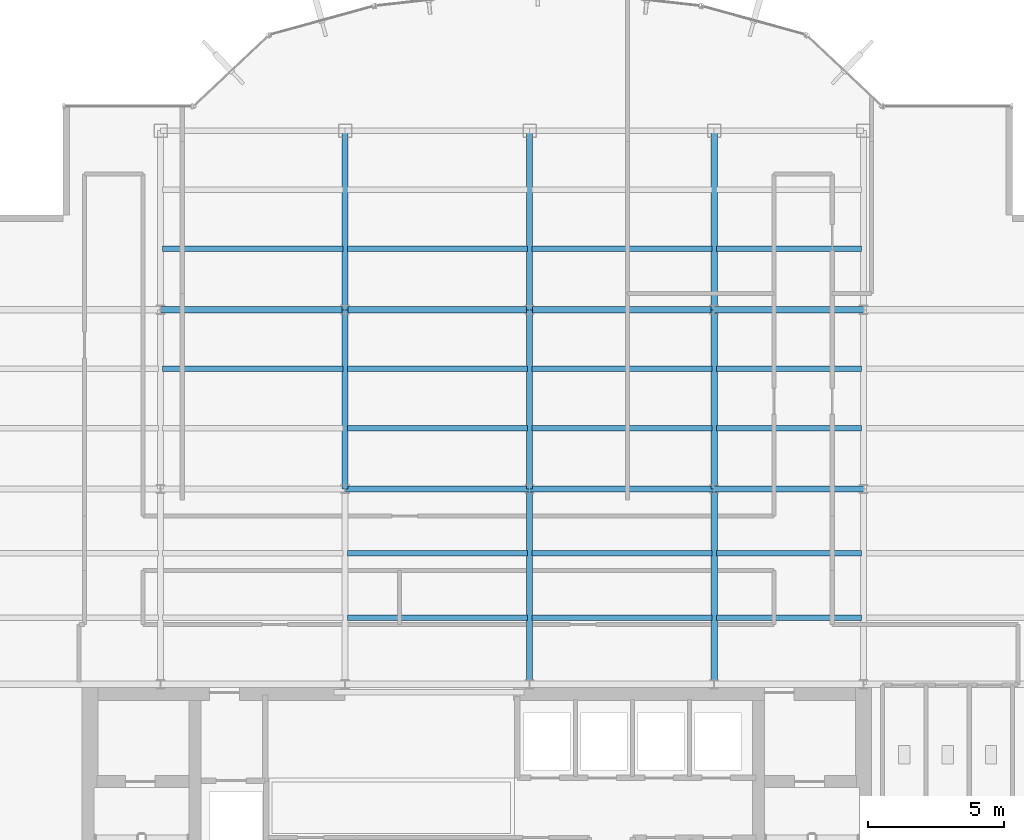
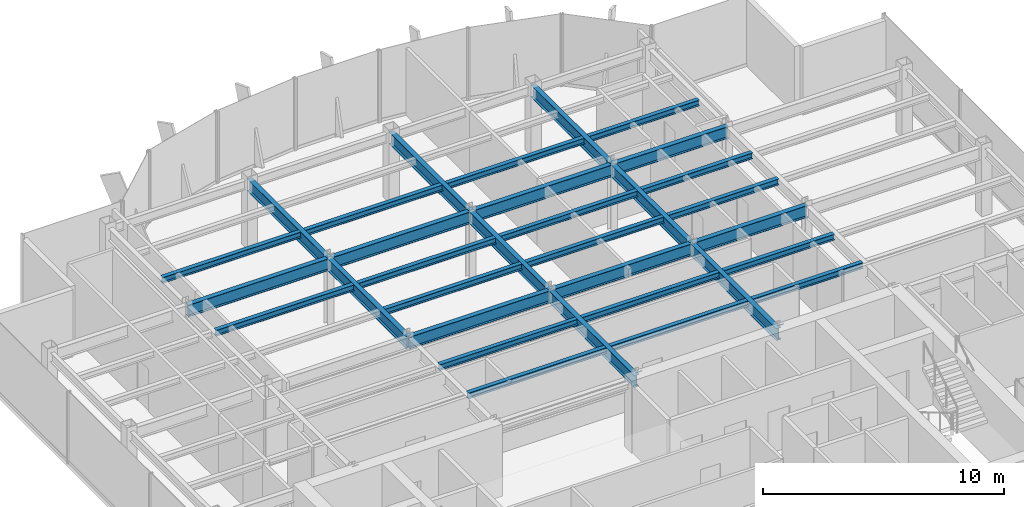
# One storey, part 8 of 22: 32 beams.
"""IFC4 building model written with IfcOpenShell, lengths in metres."""

from ifc_helpers import new_model, si_unit, derived_unit, direction, frame, origin, origin_2d, place, context, subcontext, project, spatial, i_section, extrude, source, transform, mapped, material, material_profile, profile_set, type_object, element, save


model = new_model("IFC4")

# Units and contexts
model_context = context("Model", 3, precision=1e-05, world=origin(), true_north=direction((0.0, 1.0)))
body_context = subcontext(model_context, "Body", "Model", "MODEL_VIEW")
ifc_project = project(units=[si_unit("LENGTHUNIT", "METRE"), si_unit("AREAUNIT", "SQUARE_METRE"), si_unit("VOLUMEUNIT", "CUBIC_METRE"), si_unit("PLANEANGLEUNIT", "RADIAN"), si_unit("MASSUNIT", "GRAM", prefix="KILO"), derived_unit("THERMALTRANSMITTANCEUNIT", [(si_unit("POWERUNIT", "WATT"), 1), (si_unit("LENGTHUNIT", "METRE"), -2), (si_unit("THERMODYNAMICTEMPERATUREUNIT", "KELVIN"), -1)])], contexts=[model_context])

# Site, building, storey
site_placement = place(None, origin())
site = spatial("IfcSite", under=ifc_project, at=site_placement, CompositionType="ELEMENT")
building_placement = place(site_placement, origin())
building = spatial("IfcBuilding", under=site, at=building_placement, Name="Skarnbrae Concourse Arena and Tower", CompositionType="ELEMENT")
storey_placement = place(building_placement, frame((0.0, 0.0, 284.35009765625)))
storey = spatial("IfcBuildingStorey", under=building, at=storey_placement, Name="L74", CompositionType="ELEMENT", Elevation=284.35009765625)

# Beams
ifc_material = material(Name="Steel CSA G40.21 350W", Category="steel")
ifc_material_profile_1 = material_profile(ifc_material, i_section(OverallWidth=0.22802734375, OverallDepth=0.60791015625, WebThickness=0.01123046875, FlangeThickness=0.017333984375, at=origin_2d()), Name="W610X113")
ifc_profile_set_1 = profile_set([ifc_material_profile_1], Name="Steel CSA G40.21 350W")
beam_type_1 = type_object("IfcBeamType", Name="BM-GIRD-W610X113", PredefinedType="BEAM", material=ifc_profile_set_1)
shared_shape_1 = source(origin(), body_context, "Body", "SweptSolid", [
    extrude(i_section(OverallWidth=0.22802734375, OverallDepth=0.60791015625, WebThickness=0.01123046875, FlangeThickness=0.017333984375, at=origin_2d()), origin(), (0.0, 0.0, 1.0), 6.60009765625),
])
for number, where, z_axis, x_axis, name in (
    (1, (14.39990234375, 21.199951171875, 3.095947265625), (0.0, 1.0, 0.0), (-1.0, 0.0, 0.0), "L74 Primary N-S girder X14.4-2"),
    (2, (21.199951171875, 21.199951171875, 3.095947265625), (0.0, 1.0, 0.0), (-1.0, 0.0, 0.0), "L74 Primary N-S girder X21.2-2"),
    (3, (28.0, 21.199951171875, 3.095947265625), (0.0, 1.0, 0.0), (-1.0, 0.0, 0.0), "L74 Primary N-S girder X28.0-2"),
):
    element("IfcBeam", number, at=place(storey_placement, frame(where, z_axis=z_axis, x_axis=x_axis)), inside=storey, type_object=beam_type_1, Name=name, PredefinedType="BEAM", context=body_context, shape_type="MappedRepresentation", body=[
        mapped(shared_shape_1, transform((0.0, 0.0, 0.0))),
    ])
shared_shape_2 = source(origin(), body_context, "Body", "SweptSolid", [
    extrude(i_section(OverallWidth=0.22802734375, OverallDepth=0.60791015625, WebThickness=0.01123046875, FlangeThickness=0.017333984375, at=origin_2d()), origin(), (0.0, 0.0, 1.0), 6.7998046875),
])
beam_placement = place(storey_placement, frame((7.60009765625, 27.800048828125, 3.095947265625), z_axis=(1.0, 0.0, 0.0), x_axis=(0.0, 1.0, 0.0)))
element("IfcBeam", 4, at=beam_placement, inside=storey, type_object=beam_type_1, Name="L74 Primary E-W girder Y27.8-2", PredefinedType="BEAM", context=body_context, shape_type="MappedRepresentation", body=[
    mapped(shared_shape_2, transform((0.0, 0.0, 0.0))),
])
shared_shape_3 = source(origin(), body_context, "Body", "SweptSolid", [
    extrude(i_section(OverallWidth=0.22802734375, OverallDepth=0.60791015625, WebThickness=0.01123046875, FlangeThickness=0.017333984375, at=origin_2d()), origin(), (0.0, 0.0, 1.0), 6.800048828125),
])
for number, where, z_axis, x_axis, name in (
    (5, (14.39990234375, 21.199951171875, 3.095947265625), (1.0, 0.0, 0.0), (0.0, 1.0, 0.0), "L74 Primary E-W girder Y21.2-3"),
    (6, (21.199951171875, 21.199951171875, 3.095947265625), (1.0, 0.0, 0.0), (0.0, 1.0, 0.0), "L74 Primary E-W girder Y21.2-4"),
    (7, (14.39990234375, 27.800048828125, 3.095947265625), (1.0, 0.0, 0.0), (0.0, 1.0, 0.0), "L74 Primary E-W girder Y27.8-3"),
    (8, (21.199951171875, 27.800048828125, 3.095947265625), (1.0, 0.0, 0.0), (0.0, 1.0, 0.0), "L74 Primary E-W girder Y27.8-4"),
):
    element("IfcBeam", number, at=place(storey_placement, frame(where, z_axis=z_axis, x_axis=x_axis)), inside=storey, type_object=beam_type_1, Name=name, PredefinedType="BEAM", context=body_context, shape_type="MappedRepresentation", body=[
        mapped(shared_shape_3, transform((0.0, 0.0, 0.0))),
    ])
shared_shape_4 = source(origin(), body_context, "Body", "SweptSolid", [
    extrude(i_section(OverallWidth=0.22802734375, OverallDepth=0.60791015625, WebThickness=0.01123046875, FlangeThickness=0.017333984375, at=origin_2d()), origin(), (0.0, 0.0, 1.0), 5.5),
])
for number, where, z_axis, x_axis, name in (
    (9, (28.0, 21.199951171875, 3.095947265625), (1.0, 0.0, 0.0), (0.0, 1.0, 0.0), "L74 Primary E-W girder Y21.2-5"),
    (10, (28.0, 27.800048828125, 3.095947265625), (1.0, 0.0, 0.0), (0.0, 1.0, 0.0), "L74 Primary E-W girder Y27.8-5"),
):
    element("IfcBeam", number, at=place(storey_placement, frame(where, z_axis=z_axis, x_axis=x_axis)), inside=storey, type_object=beam_type_1, Name=name, PredefinedType="BEAM", context=body_context, shape_type="MappedRepresentation", body=[
        mapped(shared_shape_4, transform((0.0, 0.0, 0.0))),
    ])
shared_shape_5 = source(origin(), body_context, "Body", "SweptSolid", [
    extrude(i_section(OverallWidth=0.22802734375, OverallDepth=0.60791015625, WebThickness=0.01123046875, FlangeThickness=0.017333984375, at=origin_2d()), origin(), (0.0, 0.0, 1.0), 7.199951171875),
])
for number, where, z_axis, x_axis, name in (
    (11, (21.199951171875, 14.0, 3.095947265625), (0.0, 1.0, 0.0), (-1.0, 0.0, 0.0), "L74 Primary N-S girder X21.2-1"),
    (12, (28.0, 14.0, 3.095947265625), (0.0, 1.0, 0.0), (-1.0, 0.0, 0.0), "L74 Primary N-S girder X28.0-1"),
):
    element("IfcBeam", number, at=place(storey_placement, frame(where, z_axis=z_axis, x_axis=x_axis)), inside=storey, type_object=beam_type_1, Name=name, PredefinedType="BEAM", context=body_context, shape_type="MappedRepresentation", body=[
        mapped(shared_shape_5, transform((0.0, 0.0, 0.0))),
    ])
shared_shape_6 = source(origin(), body_context, "Body", "SweptSolid", [
    extrude(i_section(OverallWidth=0.22802734375, OverallDepth=0.60791015625, WebThickness=0.01123046875, FlangeThickness=0.017333984375, at=origin_2d()), origin(), (0.0, 0.0, 1.0), 6.599853515625),
])
for number, where, z_axis, x_axis, name in (
    (13, (14.39990234375, 27.800048828125, 3.095947265625), (0.0, 1.0, 0.0), (-1.0, 0.0, 0.0), "L74 Primary N-S girder X14.4-3"),
    (14, (21.199951171875, 27.800048828125, 3.095947265625), (0.0, 1.0, 0.0), (-1.0, 0.0, 0.0), "L74 Primary N-S girder X21.2-3"),
    (15, (28.0, 27.800048828125, 3.095947265625), (0.0, 1.0, 0.0), (-1.0, 0.0, 0.0), "L74 Primary N-S girder X28.0-3"),
):
    element("IfcBeam", number, at=place(storey_placement, frame(where, z_axis=z_axis, x_axis=x_axis)), inside=storey, type_object=beam_type_1, Name=name, PredefinedType="BEAM", context=body_context, shape_type="MappedRepresentation", body=[
        mapped(shared_shape_6, transform((0.0, 0.0, 0.0))),
    ])
ifc_material_profile_2 = material_profile(ifc_material, i_section(OverallWidth=0.202880859375, OverallDepth=0.302978515625, WebThickness=0.007568359375, FlangeThickness=0.01318359375, at=origin_2d()), Name="W310X60")
ifc_profile_set_2 = profile_set([ifc_material_profile_2], Name="Steel CSA G40.21 350W")
beam_type_2 = type_object("IfcBeamType", Name="BM-JOIST-W310X60", PredefinedType="JOIST", material=ifc_profile_set_2)
shared_shape_7 = source(origin(), body_context, "Body", "SweptSolid", [
    extrude(i_section(OverallWidth=0.202880859375, OverallDepth=0.302978515625, WebThickness=0.007568359375, FlangeThickness=0.01318359375, at=origin_2d()), origin(), (0.0, 0.0, 1.0), 6.64013671875),
])
for number, where, z_axis, x_axis, name in (
    (16, (14.47998046875, 16.447998046875, 3.248291015625), (1.0, 0.0, 0.0), (0.0, 1.0, 0.0), "L74 Secondary floor joist 1.1.3"),
    (17, (14.47998046875, 18.823974609375, 3.248291015625), (1.0, 0.0, 0.0), (0.0, 1.0, 0.0), "L74 Secondary floor joist 1.2.3"),
    (18, (14.47998046875, 23.444091796875, 3.248291015625), (1.0, 0.0, 0.0), (0.0, 1.0, 0.0), "L74 Secondary floor joist 2.1.3"),
    (19, (7.679931640625, 25.6220703125, 3.248291015625), (1.0, 0.0, 0.0), (0.0, 1.0, 0.0), "L74 Secondary floor joist 2.2.2"),
    (20, (14.47998046875, 25.6220703125, 3.248291015625), (1.0, 0.0, 0.0), (0.0, 1.0, 0.0), "L74 Secondary floor joist 2.2.3"),
    (21, (7.679931640625, 30.0439453125, 3.248291015625), (1.0, 0.0, 0.0), (0.0, 1.0, 0.0), "L74 Secondary floor joist 3.1.1"),
    (22, (14.47998046875, 30.0439453125, 3.248291015625), (1.0, 0.0, 0.0), (0.0, 1.0, 0.0), "L74 Secondary floor joist 3.1.2"),
):
    element("IfcBeam", number, at=place(storey_placement, frame(where, z_axis=z_axis, x_axis=x_axis)), inside=storey, type_object=beam_type_2, Name=name, PredefinedType="JOIST", context=body_context, shape_type="MappedRepresentation", body=[
        mapped(shared_shape_7, transform((0.0, 0.0, 0.0))),
    ])
shared_shape_8 = source(origin(), body_context, "Body", "SweptSolid", [
    extrude(i_section(OverallWidth=0.202880859375, OverallDepth=0.302978515625, WebThickness=0.007568359375, FlangeThickness=0.01318359375, at=origin_2d()), origin(), (0.0, 0.0, 1.0), 6.639892578125),
])
for number, where, z_axis, x_axis, name in (
    (23, (21.280029296875, 16.447998046875, 3.248291015625), (1.0, 0.0, 0.0), (0.0, 1.0, 0.0), "L74 Secondary floor joist 1.1.4"),
    (24, (21.280029296875, 18.823974609375, 3.248291015625), (1.0, 0.0, 0.0), (0.0, 1.0, 0.0), "L74 Secondary floor joist 1.2.4"),
    (25, (21.280029296875, 23.444091796875, 3.248291015625), (1.0, 0.0, 0.0), (0.0, 1.0, 0.0), "L74 Secondary floor joist 2.1.4"),
    (26, (21.280029296875, 25.6220703125, 3.248291015625), (1.0, 0.0, 0.0), (0.0, 1.0, 0.0), "L74 Secondary floor joist 2.2.4"),
    (27, (21.280029296875, 30.0439453125, 3.248291015625), (1.0, 0.0, 0.0), (0.0, 1.0, 0.0), "L74 Secondary floor joist 3.1.3"),
):
    element("IfcBeam", number, at=place(storey_placement, frame(where, z_axis=z_axis, x_axis=x_axis)), inside=storey, type_object=beam_type_2, Name=name, PredefinedType="JOIST", context=body_context, shape_type="MappedRepresentation", body=[
        mapped(shared_shape_8, transform((0.0, 0.0, 0.0))),
    ])
shared_shape_9 = source(origin(), body_context, "Body", "SweptSolid", [
    extrude(i_section(OverallWidth=0.202880859375, OverallDepth=0.302978515625, WebThickness=0.007568359375, FlangeThickness=0.01318359375, at=origin_2d()), origin(), (0.0, 0.0, 1.0), 5.33984375),
])
for number, where, z_axis, x_axis, name in (
    (28, (28.080078125, 16.447998046875, 3.248291015625), (1.0, 0.0, 0.0), (0.0, 1.0, 0.0), "L74 Secondary floor joist 1.1.5"),
    (29, (28.080078125, 18.823974609375, 3.248291015625), (1.0, 0.0, 0.0), (0.0, 1.0, 0.0), "L74 Secondary floor joist 1.2.5"),
    (30, (28.080078125, 23.444091796875, 3.248291015625), (1.0, 0.0, 0.0), (0.0, 1.0, 0.0), "L74 Secondary floor joist 2.1.5"),
    (31, (28.080078125, 25.6220703125, 3.248291015625), (1.0, 0.0, 0.0), (0.0, 1.0, 0.0), "L74 Secondary floor joist 2.2.5"),
    (32, (28.080078125, 30.0439453125, 3.248291015625), (1.0, 0.0, 0.0), (0.0, 1.0, 0.0), "L74 Secondary floor joist 3.1.4"),
):
    element("IfcBeam", number, at=place(storey_placement, frame(where, z_axis=z_axis, x_axis=x_axis)), inside=storey, type_object=beam_type_2, Name=name, PredefinedType="JOIST", context=body_context, shape_type="MappedRepresentation", body=[
        mapped(shared_shape_9, transform((0.0, 0.0, 0.0))),
    ])

save(model, "model.ifc")
